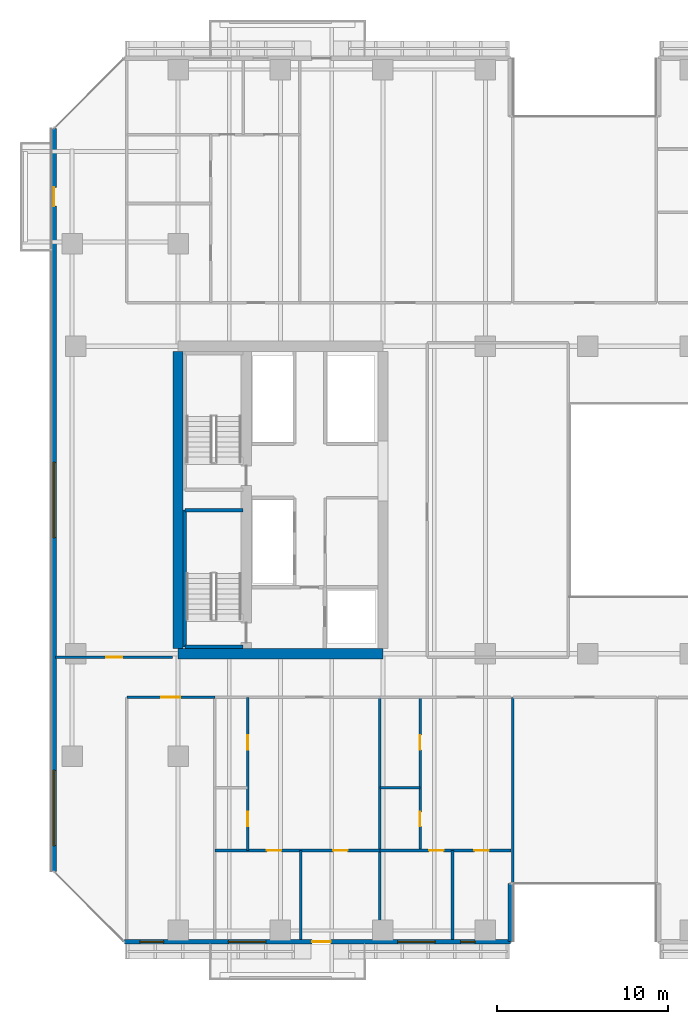
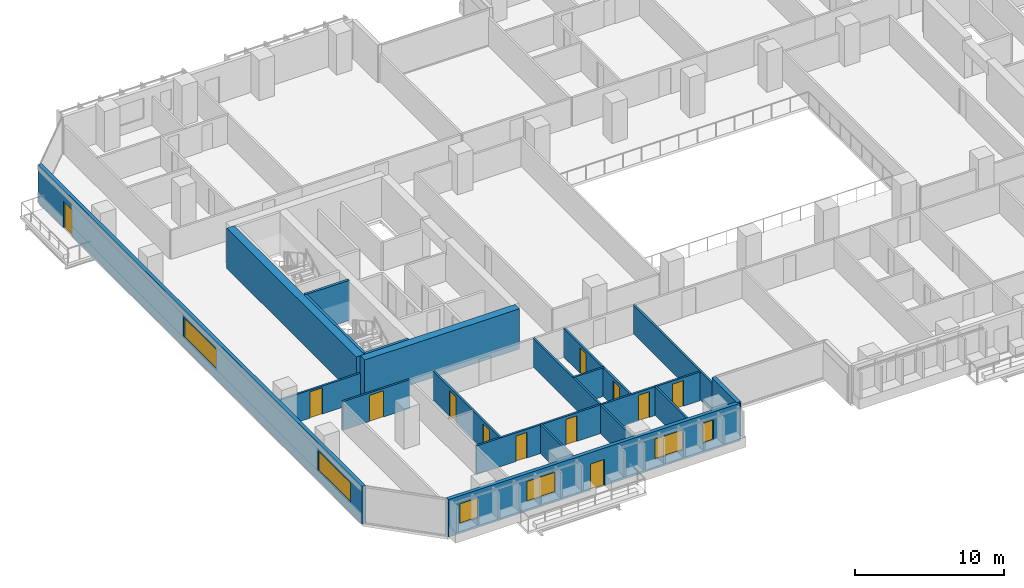
# One storey, part 18 of 33: 19 walls, 12 doors, 6 windows, 18 openings.
"""IFC4 building model written with IfcOpenShell, lengths in metres."""

import ifcopenshell
import ifcopenshell.guid

model = None  # the IFC model being written
_history = None  # IfcOwnerHistory: only IFC2X3 demands one
_inside = {}  # id of a spatial element -> (the spatial element, [elements in it])
_under = {}  # id of a project, library or spatial element -> (it, [spatial elements below it])
_declared = {}  # id of a project -> (the project, [libraries it declares])
_typed = {}  # id of a type object -> (the type object, [elements of that type])
_made_of = {}  # id of a material, layer set ... -> (it, [elements and type objects made of it])


def new_model(schema):
    """Start an empty IFC model of exactly this schema.

    Asked for "IFC4X3", IfcOpenShell would pick the latest addendum, in which some entities
    have other attributes; the version numbers below select the first issue.
    IFC2X3 requires an IfcOwnerHistory on every rooted entity: one is made here for all.
    """
    global model, _history
    if schema == "IFC4X3":
        model = ifcopenshell.file(schema_version=(4, 3, 0, 0))
    else:
        model = ifcopenshell.file(schema=schema)
    _inside.clear()
    _under.clear()
    _declared.clear()
    _typed.clear()
    _made_of.clear()
    _history = None
    if model.schema == "IFC2X3":
        org = make("IfcOrganization", Name="unknown")
        user = make(
            "IfcPersonAndOrganization",
            ThePerson=make("IfcPerson", FamilyName="unknown"),
            TheOrganization=org,
        )
        app = make(
            "IfcApplication",
            ApplicationDeveloper=org,
            Version="unknown",
            ApplicationFullName="unknown",
            ApplicationIdentifier="unknown",
        )
        _history = make(
            "IfcOwnerHistory",
            OwningUser=user,
            OwningApplication=app,
            ChangeAction="ADDED",
            CreationDate=0,
        )
    return model


def make(cls, **values):
    """One entity of the class cls with the attributes given. An attribute that is None is left unset."""
    return model.create_entity(
        cls, **{name: value for name, value in values.items() if value is not None}
    )


def rooted(cls, **values):
    """An entity with a GlobalId (a new one), such as an element, a storey or a relation."""
    return make(cls, GlobalId=ifcopenshell.guid.new(), OwnerHistory=_history, **values)


def si_unit(unit_type, name, prefix=None):
    """IfcSIUnit, for example si_unit("LENGTHUNIT", "METRE", prefix="MILLI")."""
    return make("IfcSIUnit", UnitType=unit_type, Prefix=prefix, Name=name)


def assignment(units):
    """IfcUnitAssignment: the units of a project."""
    return None if units is None else make("IfcUnitAssignment", Units=units)


def point(xyz):
    """IfcCartesianPoint."""
    return None if xyz is None else make("IfcCartesianPoint", Coordinates=xyz)


def direction(xyz):
    """IfcDirection."""
    return None if xyz is None else make("IfcDirection", DirectionRatios=xyz)


def frame(location, z_axis=None, x_axis=None):
    """IfcAxis2Placement3D, a coordinate frame: its origin and axes. An axis left out is left unset."""
    return make(
        "IfcAxis2Placement3D",
        Location=point(location),
        Axis=direction(z_axis),
        RefDirection=direction(x_axis),
    )


def frame_2d(location, x_axis=None):
    """IfcAxis2Placement2D, a coordinate frame in the plane: its origin and x axis."""
    return make(
        "IfcAxis2Placement2D", Location=point(location), RefDirection=direction(x_axis)
    )


def origin():
    """The frame at (0, 0, 0) with its axes left unset."""
    return frame((0.0, 0.0, 0.0))


def place(relative_to, where):
    """IfcLocalPlacement: puts the frame where relative to a parent placement (None: the world)."""
    return make(
        "IfcLocalPlacement", PlacementRelTo=relative_to, RelativePlacement=where
    )


def context(
    kind, dimensions, precision=None, world=None, true_north=None, identifier=None
):
    """IfcGeometricRepresentationContext, for example the 3D "Model" context."""
    return make(
        "IfcGeometricRepresentationContext",
        ContextIdentifier=identifier,
        ContextType=kind,
        CoordinateSpaceDimension=dimensions,
        Precision=precision,
        WorldCoordinateSystem=world,
        TrueNorth=true_north,
    )


def subcontext(parent, identifier, kind, view, scale=None):
    """IfcGeometricRepresentationSubContext, for example "Body" below "Model"."""
    return make(
        "IfcGeometricRepresentationSubContext",
        ContextIdentifier=identifier,
        ContextType=kind,
        ParentContext=parent,
        TargetScale=scale,
        TargetView=view,
    )


def project(units=None, contexts=None):
    """IfcProject with its units and contexts."""
    return rooted(
        "IfcProject",
        Name="project",
        RepresentationContexts=contexts,
        UnitsInContext=assignment(units),
    )


def spatial(cls, under=None, at=None, **own):
    """A site, building, storey or space (cls), placed at a placement, below another one or the project."""
    s = rooted(cls, ObjectPlacement=at, **own)
    if under is not None:
        _under.setdefault(under.id(), (under, []))[1].append(s)
    return s


def profile(cls, at=None, kind="AREA", **sizes):
    """A parametric profile (cls). Its sizes go by their IFC names, for example OverallWidth=200.0."""
    return make(cls, ProfileType=kind, Position=at, **sizes)


def rectangle(**sizes):
    """IfcRectangleProfileDef."""
    return profile("IfcRectangleProfileDef", **sizes)


def extrude(swept, where, along, depth):
    """IfcExtrudedAreaSolid: the profile swept, set in the frame where, extruded along a direction by depth."""
    return make(
        "IfcExtrudedAreaSolid",
        SweptArea=swept,
        Position=where,
        ExtrudedDirection=direction(along),
        Depth=depth,
    )


def shape(context_of_items, identifier, shape_type, items):
    """IfcShapeRepresentation: the items that make up one representation, for example the "Body"."""
    return make(
        "IfcShapeRepresentation",
        ContextOfItems=context_of_items,
        RepresentationIdentifier=identifier,
        RepresentationType=shape_type,
        Items=items,
    )


def material(Name=None, Category=None):
    """IfcMaterial."""
    return make("IfcMaterial", Name=Name, Category=Category)


def layer(
    of_material, thickness, ventilated=None, Name=None, Category=None, Priority=None
):
    """IfcMaterialLayer: one layer of a wall or slab, of a material (None: an air gap)."""
    return make(
        "IfcMaterialLayer",
        Material=of_material,
        LayerThickness=thickness,
        IsVentilated=ventilated,
        Name=Name,
        Category=Category,
        Priority=Priority,
    )


def layer_set(layers, Name=None):
    """IfcMaterialLayerSet."""
    return make("IfcMaterialLayerSet", MaterialLayers=layers, LayerSetName=Name)


def made_of(thing, what):
    """Note that an element or type object is made of a material, layer set ...; save() writes the relation."""
    if what is not None:
        _made_of.setdefault(what.id(), (what, []))[1].append(thing)
    return thing


def type_object(cls, material=None, **own):
    """A type object (cls), such as IfcWallType, which elements share."""
    return made_of(rooted(cls, **own), material)


def element(
    cls,
    number,
    at=None,
    inside=None,
    cuts=None,
    type_object=None,
    material=None,
    context=None,
    identifier="Body",
    shape_type=None,
    held_by="IfcProductDefinitionShape",
    body=None,
    shapes=None,
    **own,
):
    """One element of the class cls, such as IfcWall. Its Tag is "e" and its number.

    at: its placement. inside: the storey or other place that contains it. cuts: it is an
    opening in that element (IfcRelVoidsElement). A single representation is given by context,
    identifier, shape_type and body (its items); several are given by shapes. held_by: the class
    of the entity that holds the representations. save() writes the other relations.
    """
    e = rooted(cls, Tag="e%d" % number, ObjectPlacement=at, **own)
    if body is not None:
        shapes = [shape(context, identifier, shape_type, body)]
    if shapes is not None:
        e.Representation = make(held_by, Representations=shapes)
    if inside is not None:
        _inside.setdefault(inside.id(), (inside, []))[1].append(e)
    if cuts is not None:
        rooted(
            "IfcRelVoidsElement", RelatingBuildingElement=cuts, RelatedOpeningElement=e
        )
    if type_object is not None:
        _typed.setdefault(type_object.id(), (type_object, []))[1].append(e)
    return made_of(e, material)


def fill(opening, filler):
    """IfcRelFillsElement: the door or window that sits in an opening."""
    return rooted(
        "IfcRelFillsElement",
        RelatingOpeningElement=opening,
        RelatedBuildingElement=filler,
    )


def aggregate(whole, parts):
    """IfcRelAggregates: a whole, such as a stair, and the parts it consists of."""
    return rooted("IfcRelAggregates", RelatingObject=whole, RelatedObjects=parts)


def save(model, path):
    """Write the relations noted so far, then the file.

    IfcRelAggregates (storeys below a building ...), IfcRelContainedInSpatialStructure (elements
    in a storey), IfcRelDefinesByType, IfcRelAssociatesMaterial and IfcRelDeclares: one each for
    every whole, place, type object, material and project.
    """
    for whole, parts in _under.values():
        aggregate(whole, parts)
    for where, things in _inside.values():
        rooted(
            "IfcRelContainedInSpatialStructure",
            RelatedElements=things,
            RelatingStructure=where,
        )
    for kind, things in _typed.values():
        rooted("IfcRelDefinesByType", RelatedObjects=things, RelatingType=kind)
    for what, things in _made_of.values():
        rooted("IfcRelAssociatesMaterial", RelatedObjects=things, RelatingMaterial=what)
    for by, libraries in _declared.values():
        rooted("IfcRelDeclares", RelatingContext=by, RelatedDefinitions=libraries)
    model.write(path)


model = new_model("IFC4")

# Units and contexts
model_context = context("Model", 3, precision=1e-05, world=origin(), true_north=direction((0.0, 1.0)))
body_context = subcontext(model_context, "Body", "Model", "MODEL_VIEW")
ifc_project = project(units=[si_unit("LENGTHUNIT", "METRE"), si_unit("AREAUNIT", "SQUARE_METRE"), si_unit("VOLUMEUNIT", "CUBIC_METRE"), si_unit("PLANEANGLEUNIT", "RADIAN"), si_unit("MASSUNIT", "GRAM", prefix="KILO")], contexts=[model_context])

# Site, building, storey
site_placement = place(None, origin())
site = spatial("IfcSite", under=ifc_project, at=site_placement, CompositionType="ELEMENT")
building_placement = place(site_placement, origin())
building = spatial("IfcBuilding", under=site, at=building_placement, Name="Tanjung Sevakor Pilgrim Tower", CompositionType="ELEMENT")
storey_placement = place(building_placement, frame((0.0, 0.0, 52.139892578125)))
storey = spatial("IfcBuildingStorey", under=building, at=storey_placement, Name="L14", CompositionType="ELEMENT", Elevation=52.139892578125)

# Walls
ifc_material_1 = material(Name="Concrete C60/75", Category="concrete")
ifc_layer_1 = layer(ifc_material_1, 0.60009765625)
ifc_layer_set_1 = layer_set([ifc_layer_1], Name="WALL-CW-600")
wall_type_1 = type_object("IfcWallType", Name="WALL-CW-600", PredefinedType="SHEAR", material=ifc_layer_set_1)
wall_1_placement = place(storey_placement, frame((24.0, 24.60009765625, 0.0), z_axis=(0.0, 0.0, 1.0), x_axis=(1.0, 0.0, 0.0)))
element("IfcWall", 1, at=wall_1_placement, inside=storey, type_object=wall_type_1, Name="L14 W Core South Shear Wall", PredefinedType="SHEAR", context=body_context, shape_type="SweptSolid", body=[
    extrude(rectangle(XDim=12.0, YDim=0.60009765625, at=frame_2d((6.0, 0.0))), origin(), (0.0, 0.0, 1.0), 3.300048828125),
])
wall_2_placement = place(storey_placement, frame((24.0, 24.89990234375, 0.0), z_axis=(0.0, 0.0, 1.0), x_axis=(0.0, 1.0, 0.0)))
element("IfcWall", 2, at=wall_2_placement, inside=storey, type_object=wall_type_1, Name="L14 W Core Outer Shear Wall", PredefinedType="SHEAR", context=body_context, shape_type="SweptSolid", body=[
    extrude(rectangle(XDim=17.400146484375, YDim=0.60009765625, at=frame_2d((8.7001953125, 0.0))), origin(), (0.0, 0.0, 1.0), 3.300048828125),
])

# Wall, opening, door
ifc_material_2 = material(Name="Concrete C40/50", Category="concrete")
ifc_layer_2 = layer(ifc_material_2, 0.14990234375)
ifc_layer_set_2 = layer_set([ifc_layer_2], Name="WT-COMP-150")
wall_type_2 = type_object("IfcWallType", Name="WT-COMP-150", PredefinedType="SOLIDWALL", material=ifc_layer_set_2)
wall_3_placement = place(storey_placement, frame((16.840087890625, 24.39990234375, 0.0), z_axis=(0.0, 0.0, 1.0), x_axis=(1.0, 0.0, 0.0)))
wall_3 = element("IfcWall", 3, at=wall_3_placement, inside=storey, type_object=wall_type_2, Name="L14 Partition IW-L14-029", PredefinedType="SOLIDWALL", context=body_context, shape_type="SweptSolid", body=[
    extrude(rectangle(XDim=6.83984375, YDim=0.14990234375, at=frame_2d((3.419921875, 0.0))), origin(), (0.0, 0.0, 1.0), 2.295166015625),
])
opening_1_placement = place(wall_3_placement, frame((2.945068359375, 0.0, 0.0)))
opening_1 = element("IfcOpeningElement", 4, at=opening_1_placement, cuts=wall_3, Name="Opening ID-FD2", PredefinedType="OPENING", context=body_context, shape_type="SweptSolid", body=[
    extrude(rectangle(XDim=0.949951171875, YDim=2.14990234375, at=frame_2d((0.47509765625, 1.074951171875))), frame((0.0, 0.0849609375, 0.0), z_axis=(0.0, -1.0, 0.0), x_axis=(1.0, 0.0, 0.0)), (0.0, 0.0, 1.0), 0.169921875),
])
ifc_material_3 = material(Name="Fire-Rated Timber", Category="wood")
door_type_1 = type_object("IfcDoorType", Name="DT-FIRE-950", OperationType="NOTDEFINED", PredefinedType="DOOR", material=ifc_material_3)
door_1_placement = place(opening_1_placement, origin())
door_1 = element("IfcDoor", 5, at=door_1_placement, inside=storey, type_object=door_type_1, Name="Study Room Entrance", OperationType="SINGLE_SWING_RIGHT", OverallHeight=2.14990234375, OverallWidth=0.949951171875, PredefinedType="DOOR", context=body_context, shape_type="SweptSolid", body=[
    extrude(rectangle(XDim=0.949951171875, YDim=2.14990234375, at=frame_2d((0.47509765625, 1.074951171875))), frame((0.0, 0.02490234375, 0.0), z_axis=(0.0, -1.0, 0.0), x_axis=(1.0, 0.0, 0.0)), (0.0, 0.0, 1.0), 0.050048828125),
])
fill(opening_1, door_1)

# Wall
wall_4_placement = place(storey_placement, frame((43.60009765625, 7.8798828125, 0.0), z_axis=(0.0, 0.0, 1.0), x_axis=(0.0, 1.0, 0.0)))
element("IfcWall", 6, at=wall_4_placement, inside=storey, type_object=wall_type_2, Name="L14 Partition IW-L14-037", PredefinedType="SOLIDWALL", context=body_context, shape_type="SweptSolid", body=[
    extrude(rectangle(XDim=14.170166015625, YDim=0.14990234375, at=frame_2d((7.0849609375, 0.0))), origin(), (0.0, 0.0, 1.0), 2.35009765625),
])

# Wall, opening, door
wall_5_placement = place(storey_placement, frame((21.0, 22.050048828125, 0.0), z_axis=(0.0, 0.0, 1.0), x_axis=(1.0, 0.0, 0.0)))
wall_5 = element("IfcWall", 7, at=wall_5_placement, inside=storey, type_object=wall_type_2, Name="L14 Partition IW-L14-044", PredefinedType="SOLIDWALL", context=body_context, shape_type="SweptSolid", body=[
    extrude(rectangle(XDim=5.162109375, YDim=0.14990234375, at=frame_2d((2.5810546875, 0.0))), origin(), (0.0, 0.0, 1.0), 2.35009765625),
])
opening_2_placement = place(wall_5_placement, frame((2.031005859375, 0.0, 0.0)))
opening_2 = element("IfcOpeningElement", 8, at=opening_2_placement, cuts=wall_5, Name="Opening ID-FD0", PredefinedType="OPENING", context=body_context, shape_type="SweptSolid", body=[
    extrude(rectangle(XDim=1.10009765625, YDim=2.14990234375, at=frame_2d((0.550048828125, 1.074951171875))), frame((0.0, 0.0849609375, 0.0), z_axis=(0.0, -1.0, 0.0), x_axis=(1.0, 0.0, 0.0)), (0.0, 0.0, 1.0), 0.169921875),
])
ifc_material_4 = material(Name="Fire-Rated Steel S355J2", Category="steel")
door_type_2 = type_object("IfcDoorType", Name="DT-FIRE-1100", OperationType="NOTDEFINED", PredefinedType="DOOR", material=ifc_material_4)
door_2_placement = place(opening_2_placement, origin())
door_2 = element("IfcDoor", 9, at=door_2_placement, inside=storey, type_object=door_type_2, Name="Communal Lounge Door", OperationType="SINGLE_SWING_LEFT", OverallHeight=2.14990234375, OverallWidth=1.10009765625, PredefinedType="DOOR", context=body_context, shape_type="SweptSolid", body=[
    extrude(rectangle(XDim=1.10009765625, YDim=2.14990234375, at=frame_2d((0.550048828125, 1.074951171875))), frame((0.0, 0.02490234375, 0.0), z_axis=(0.0, -1.0, 0.0), x_axis=(1.0, 0.0, 0.0)), (0.0, 0.0, 1.0), 0.050048828125),
])
fill(opening_2, door_2)

# Wall
wall_6_placement = place(storey_placement, frame((35.8203125, 7.8798828125, 0.0), z_axis=(0.0, 0.0, 1.0), x_axis=(0.0, 1.0, 0.0)))
element("IfcWall", 10, at=wall_6_placement, inside=storey, type_object=wall_type_2, Name="L14 Partition IW-L14-045", PredefinedType="SOLIDWALL", context=body_context, shape_type="SweptSolid", body=[
    extrude(rectangle(XDim=14.170166015625, YDim=0.14990234375, at=frame_2d((7.0849609375, 0.0))), origin(), (0.0, 0.0, 1.0), 2.35009765625),
])

# Wall, openings, door, windows
ifc_material_5 = material(Name="Precast concrete C45/55", Category="concrete")
ifc_layer_3 = layer(ifc_material_5, 0.280029296875)
ifc_layer_set_3 = layer_set([ifc_layer_3], Name="WT-EW-STN2")
wall_type_3 = type_object("IfcWallType", Name="WT-EW-STN2", PredefinedType="SOLIDWALL", material=ifc_layer_set_3)
wall_7_placement = place(storey_placement, frame((20.85791015625, 7.739990234375, 0.0), z_axis=(0.0, 0.0, 1.0), x_axis=(1.0, 0.0, 0.0)))
wall_7 = element("IfcWall", 11, at=wall_7_placement, inside=storey, type_object=wall_type_3, Name="L14 MAIN Exterior Wall 1", PredefinedType="SOLIDWALL", context=body_context, shape_type="SweptSolid", body=[
    extrude(rectangle(XDim=22.60205078125, YDim=0.280029296875, at=frame_2d((11.301025390625, 0.0))), origin(), (0.0, 0.0, 1.0), 3.080078125),
])
opening_3_placement = place(wall_7_placement, frame((10.991943359375, 0.0, 0.0)))
opening_3 = element("IfcOpeningElement", 12, at=opening_3_placement, cuts=wall_7, Name="Opening ED-BAL-1100", PredefinedType="OPENING", context=body_context, shape_type="SweptSolid", body=[
    extrude(rectangle(XDim=1.10009765625, YDim=2.14990234375, at=frame_2d((0.550048828125, 1.074951171875))), frame((0.0, 0.14990234375, 0.0), z_axis=(0.0, -1.0, 0.0), x_axis=(1.0, 0.0, 0.0)), (0.0, 0.0, 1.0), 0.300048828125),
])
opening_4_placement = place(wall_7_placement, frame((0.903076171875, 0.0, 0.780029296875)))
opening_4 = element("IfcOpeningElement", 13, at=opening_4_placement, cuts=wall_7, Name="Opening WN-END", PredefinedType="OPENING", context=body_context, shape_type="SweptSolid", body=[
    extrude(rectangle(XDim=1.39990234375, YDim=1.64990234375, at=frame_2d((0.699951171875, 0.824951171875))), frame((0.0, 0.14990234375, 0.0), z_axis=(0.0, -1.0, 0.0), x_axis=(1.0, 0.0, 0.0)), (0.0, 0.0, 1.0), 0.300048828125),
])
opening_5_placement = place(wall_7_placement, frame((6.085205078125, 0.0, 0.780029296875)))
opening_5 = element("IfcOpeningElement", 14, at=opening_5_placement, cuts=wall_7, Name="Opening WN-Z1-1660", PredefinedType="OPENING", context=body_context, shape_type="SweptSolid", body=[
    extrude(rectangle(XDim=2.199951171875, YDim=1.659912109375, at=frame_2d((1.10009765625, 0.830078125))), frame((0.0, 0.14990234375, 0.0), z_axis=(0.0, -1.0, 0.0), x_axis=(1.0, 0.0, 0.0)), (0.0, 0.0, 1.0), 0.300048828125),
])
opening_6_placement = place(wall_7_placement, frame((15.997314453125, 0.0, 0.780029296875)))
opening_6 = element("IfcOpeningElement", 15, at=opening_6_placement, cuts=wall_7, Name="Opening WN-Z1-1660", PredefinedType="OPENING", context=body_context, shape_type="SweptSolid", body=[
    extrude(rectangle(XDim=2.199951171875, YDim=1.659912109375, at=frame_2d((1.10009765625, 0.830078125))), frame((0.0, 0.14990234375, 0.0), z_axis=(0.0, -1.0, 0.0), x_axis=(1.0, 0.0, 0.0)), (0.0, 0.0, 1.0), 0.300048828125),
])
opening_7_placement = place(wall_7_placement, frame((19.68212890625, 0.0, 0.780029296875)))
opening_7 = element("IfcOpeningElement", 16, at=opening_7_placement, cuts=wall_7, Name="Opening WN-SLM", PredefinedType="OPENING", context=body_context, shape_type="SweptSolid", body=[
    extrude(rectangle(XDim=0.85009765625, YDim=1.64990234375, at=frame_2d((0.425048828125, 0.824951171875))), frame((0.0, 0.14990234375, 0.0), z_axis=(0.0, -1.0, 0.0), x_axis=(1.0, 0.0, 0.0)), (0.0, 0.0, 1.0), 0.300048828125),
])
ifc_material_6 = material(Name="Anodised Aluminium and Laminated Glass", Category="aluminium")
door_type_3 = type_object("IfcDoorType", Name="DTYP-ED-BAL-1100", OperationType="NOTDEFINED", PredefinedType="DOOR", material=ifc_material_6)
door_3_placement = place(opening_3_placement, frame((1.10009765625, 0.0, 0.0), z_axis=(0.0, 0.0, 1.0), x_axis=(-1.0, 0.0, 0.0)))
door_3 = element("IfcDoor", 17, at=door_3_placement, inside=storey, type_object=door_type_3, Name="L14 Balcony Door MAIN-S1", OperationType="SINGLE_SWING_RIGHT", OverallHeight=2.14990234375, OverallWidth=1.10009765625, PredefinedType="DOOR", context=body_context, shape_type="SweptSolid", body=[
    extrude(rectangle(XDim=1.10009765625, YDim=2.14990234375, at=frame_2d((0.550048828125, 1.074951171875))), frame((0.0, 0.02490234375, 0.0), z_axis=(0.0, -1.0, 0.0), x_axis=(1.0, 0.0, 0.0)), (0.0, 0.0, 1.0), 0.050048828125),
])
fill(opening_3, door_3)
ifc_material_7 = material(Name="Thermally Broken Aluminium and Low-E Glass", Category="aluminium")
window_type_1 = type_object("IfcWindowType", Name="WTYP-WN-END", PartitioningType="SINGLE_PANEL", PredefinedType="WINDOW", material=ifc_material_7)
window_1_placement = place(opening_4_placement, origin())
window_1 = element("IfcWindow", 18, at=window_1_placement, inside=storey, type_object=window_type_1, Name="L14 Facade Window 01", OverallHeight=1.64990234375, OverallWidth=1.39990234375, PartitioningType="SINGLE_PANEL", PredefinedType="WINDOW", context=body_context, shape_type="SweptSolid", body=[
    extrude(rectangle(XDim=1.39990234375, YDim=1.64990234375, at=frame_2d((0.699951171875, 0.824951171875))), frame((0.0, 0.030029296875, 0.0), z_axis=(0.0, -1.0, 0.0), x_axis=(1.0, 0.0, 0.0)), (0.0, 0.0, 1.0), 0.06005859375),
])
fill(opening_4, window_1)
ifc_material_8 = material(Name="Thermally Broken Aluminium and Low-E Glass", Category="aluminium")
window_type_2 = type_object("IfcWindowType", Name="WTYP-WN-SLM", PartitioningType="SINGLE_PANEL", PredefinedType="WINDOW", material=ifc_material_8)
window_2_placement = place(opening_7_placement, origin())
window_2 = element("IfcWindow", 19, at=window_2_placement, inside=storey, type_object=window_type_2, Name="L14 Facade Window 04", OverallHeight=1.64990234375, OverallWidth=0.85009765625, PartitioningType="SINGLE_PANEL", PredefinedType="WINDOW", context=body_context, shape_type="SweptSolid", body=[
    extrude(rectangle(XDim=0.85009765625, YDim=1.64990234375, at=frame_2d((0.425048828125, 0.824951171875))), frame((0.0, 0.030029296875, 0.0), z_axis=(0.0, -1.0, 0.0), x_axis=(1.0, 0.0, 0.0)), (0.0, 0.0, 1.0), 0.06005859375),
])
fill(opening_7, window_2)
ifc_material_9 = material(Name="Thermally Broken Aluminium and Low-E Glass", Category="aluminium")
window_type_3 = type_object("IfcWindowType", Name="WTYP-WN-Z1-1660", PartitioningType="DOUBLE_PANEL_VERTICAL", PredefinedType="WINDOW", material=ifc_material_9)
window_3_placement = place(opening_5_placement, origin())
window_3 = element("IfcWindow", 20, at=window_3_placement, inside=storey, type_object=window_type_3, Name="L14 Facade Window 02", OverallHeight=1.659912109375, OverallWidth=2.199951171875, PartitioningType="SINGLE_PANEL", PredefinedType="WINDOW", context=body_context, shape_type="SweptSolid", body=[
    extrude(rectangle(XDim=2.199951171875, YDim=1.659912109375, at=frame_2d((1.10009765625, 0.830078125))), frame((0.0, 0.030029296875, 0.0), z_axis=(0.0, -1.0, 0.0), x_axis=(1.0, 0.0, 0.0)), (0.0, 0.0, 1.0), 0.06005859375),
])
fill(opening_5, window_3)
window_4_placement = place(opening_6_placement, origin())
window_4 = element("IfcWindow", 21, at=window_4_placement, inside=storey, type_object=window_type_3, Name="L14 Facade Window 03", OverallHeight=1.659912109375, OverallWidth=2.199951171875, PartitioningType="SINGLE_PANEL", PredefinedType="WINDOW", context=body_context, shape_type="SweptSolid", body=[
    extrude(rectangle(XDim=2.199951171875, YDim=1.659912109375, at=frame_2d((1.10009765625, 0.830078125))), frame((0.0, 0.030029296875, 0.0), z_axis=(0.0, -1.0, 0.0), x_axis=(1.0, 0.0, 0.0)), (0.0, 0.0, 1.0), 0.06005859375),
])
fill(opening_6, window_4)

# Wall
wall_8_placement = place(storey_placement, frame((43.4599609375, 7.739990234375, 0.0), z_axis=(0.0, 0.0, 1.0), x_axis=(0.0, 1.0, 0.0)))
element("IfcWall", 22, at=wall_8_placement, inside=storey, type_object=wall_type_3, Name="L14 MAIN Exterior Wall 2", PredefinedType="SOLIDWALL", context=body_context, shape_type="SweptSolid", body=[
    extrude(rectangle(XDim=3.39990234375, YDim=0.280029296875, at=frame_2d((1.699951171875, 0.0))), origin(), (0.0, 0.0, 1.0), 3.080078125),
])

# Wall, openings, door, windows
wall_9_placement = place(storey_placement, frame((16.739990234375, 55.342041015625, 0.0), z_axis=(0.0, 0.0, 1.0), x_axis=(0.0, -1.0, 0.0)))
wall_9 = element("IfcWall", 23, at=wall_9_placement, inside=storey, type_object=wall_type_3, Name="L14 MAIN Exterior Wall 15", PredefinedType="SOLIDWALL", context=body_context, shape_type="SweptSolid", body=[
    extrude(rectangle(XDim=43.484130859375, YDim=0.280029296875, at=frame_2d((21.7421875, 0.0))), origin(), (0.0, 0.0, 1.0), 3.080078125),
])
opening_8_placement = place(wall_9_placement, frame((3.44189453125, 0.0, 0.0)))
opening_8 = element("IfcOpeningElement", 24, at=opening_8_placement, cuts=wall_9, Name="Opening ED-BAL-1100", PredefinedType="OPENING", context=body_context, shape_type="SweptSolid", body=[
    extrude(rectangle(XDim=1.10009765625, YDim=2.14990234375, at=frame_2d((0.550048828125, 1.074951171875))), frame((0.0, 0.14990234375, 0.0), z_axis=(0.0, -1.0, 0.0), x_axis=(1.0, 0.0, 0.0)), (0.0, 0.0, 1.0), 0.300048828125),
])
opening_9_placement = place(wall_9_placement, frame((19.5419921875, 0.0, 0.780029296875)))
opening_9 = element("IfcOpeningElement", 25, at=opening_9_placement, cuts=wall_9, Name="Opening WN-ENDW-1660", PredefinedType="OPENING", context=body_context, shape_type="SweptSolid", body=[
    extrude(rectangle(XDim=4.39990234375, YDim=1.659912109375, at=frame_2d((2.199951171875, 0.830078125))), frame((0.0, 0.14990234375, 0.0), z_axis=(0.0, -1.0, 0.0), x_axis=(1.0, 0.0, 0.0)), (0.0, 0.0, 1.0), 0.300048828125),
])
opening_10_placement = place(wall_9_placement, frame((37.572998046875, 0.0, 0.780029296875)))
opening_10 = element("IfcOpeningElement", 26, at=opening_10_placement, cuts=wall_9, Name="Opening WN-ENDW-1660", PredefinedType="OPENING", context=body_context, shape_type="SweptSolid", body=[
    extrude(rectangle(XDim=4.39990234375, YDim=1.659912109375, at=frame_2d((2.199951171875, 0.830078125))), frame((0.0, 0.14990234375, 0.0), z_axis=(0.0, -1.0, 0.0), x_axis=(1.0, 0.0, 0.0)), (0.0, 0.0, 1.0), 0.300048828125),
])
door_4_placement = place(opening_8_placement, frame((1.10009765625, 0.0, 0.0), z_axis=(0.0, 0.0, 1.0), x_axis=(-1.0, 0.0, 0.0)))
door_4 = element("IfcDoor", 27, at=door_4_placement, inside=storey, type_object=door_type_3, Name="L14 West Loggia Door MAIN-W1", OperationType="SINGLE_SWING_LEFT", OverallHeight=2.14990234375, OverallWidth=1.10009765625, PredefinedType="DOOR", context=body_context, shape_type="SweptSolid", body=[
    extrude(rectangle(XDim=1.10009765625, YDim=2.14990234375, at=frame_2d((0.550048828125, 1.074951171875))), frame((0.0, 0.02490234375, 0.0), z_axis=(0.0, -1.0, 0.0), x_axis=(1.0, 0.0, 0.0)), (0.0, 0.0, 1.0), 0.050048828125),
])
fill(opening_8, door_4)
ifc_material_10 = material(Name="Thermally Broken Aluminium and Low-E Glass", Category="aluminium")
window_type_4 = type_object("IfcWindowType", Name="WTYP-WN-ENDW-1660", PartitioningType="DOUBLE_PANEL_VERTICAL", PredefinedType="WINDOW", material=ifc_material_10)
window_5_placement = place(opening_9_placement, origin())
window_5 = element("IfcWindow", 28, at=window_5_placement, inside=storey, type_object=window_type_4, Name="L14 Facade Window 01", OverallHeight=1.659912109375, OverallWidth=4.39990234375, PartitioningType="SINGLE_PANEL", PredefinedType="WINDOW", context=body_context, shape_type="SweptSolid", body=[
    extrude(rectangle(XDim=4.39990234375, YDim=1.659912109375, at=frame_2d((2.199951171875, 0.830078125))), frame((0.0, 0.030029296875, 0.0), z_axis=(0.0, -1.0, 0.0), x_axis=(1.0, 0.0, 0.0)), (0.0, 0.0, 1.0), 0.06005859375),
])
fill(opening_9, window_5)
window_6_placement = place(opening_10_placement, origin())
window_6 = element("IfcWindow", 29, at=window_6_placement, inside=storey, type_object=window_type_4, Name="L14 Facade Window 02", OverallHeight=1.659912109375, OverallWidth=4.39990234375, PartitioningType="SINGLE_PANEL", PredefinedType="WINDOW", context=body_context, shape_type="SweptSolid", body=[
    extrude(rectangle(XDim=4.39990234375, YDim=1.659912109375, at=frame_2d((2.199951171875, 0.830078125))), frame((0.0, 0.030029296875, 0.0), z_axis=(0.0, -1.0, 0.0), x_axis=(1.0, 0.0, 0.0)), (0.0, 0.0, 1.0), 0.06005859375),
])
fill(opening_10, window_6)

# Walls
ifc_material_11 = material(Name="Concrete C40/50", Category="concrete")
ifc_layer_4 = layer(ifc_material_11, 0.199951171875)
ifc_layer_set_4 = layer_set([ifc_layer_4], Name="WT-FIRE-200")
wall_type_4 = type_object("IfcWallType", Name="WT-FIRE-200", PredefinedType="SOLIDWALL", material=ifc_layer_set_4)
for number, where, z_axis, x_axis, name in (
    (30, (24.39990234375, 25.0, 0.0), (0.0, 0.0, 1.0), (1.0, 0.0, 0.0), "L14 TS-W1 Shaft Wall 1"),
    (31, (27.800048828125, 33.0, 0.0), (0.0, 0.0, 1.0), (-1.0, 0.0, 0.0), "L14 TS-W1 Shaft Wall 2"),
):
    element("IfcWall", number, at=place(storey_placement, frame(where, z_axis=z_axis, x_axis=x_axis)), inside=storey, type_object=wall_type_4, Name=name, PredefinedType="SOLIDWALL", context=body_context, shape_type="SweptSolid", body=[
        extrude(rectangle(XDim=3.400146484375, YDim=0.199951171875, at=frame_2d((1.7001953125, 0.0))), origin(), (0.0, 0.0, 1.0), 3.300048828125),
    ])
wall_10_placement = place(storey_placement, frame((24.39990234375, 33.0, 0.0), z_axis=(0.0, 0.0, 1.0), x_axis=(0.0, -1.0, 0.0)))
element("IfcWall", 32, at=wall_10_placement, inside=storey, type_object=wall_type_4, Name="L14 TS-W1 Shaft Wall 3", PredefinedType="SOLIDWALL", context=body_context, shape_type="SweptSolid", body=[
    extrude(rectangle(XDim=8.0, YDim=0.199951171875, at=frame_2d((4.0, 0.0))), origin(), (0.0, 0.0, 1.0), 3.300048828125),
])

# Wall, openings, doors
ifc_material_12 = material(Name="Gypsum Board Partition", Category="gypsum board")
ifc_layer_5 = layer(ifc_material_12, 0.14990234375)
ifc_layer_set_5 = layer_set([ifc_layer_5], Name="WT-PART-150")
wall_type_5 = type_object("IfcWallType", Name="WT-PART-150", PredefinedType="PARTITIONING", material=ifc_layer_set_5)
wall_11_placement = place(storey_placement, frame((28.080078125, 13.080078125, 0.0), z_axis=(0.0, 0.0, 1.0), x_axis=(0.0, 1.0, 0.0)))
wall_11 = element("IfcWall", 33, at=wall_11_placement, inside=storey, type_object=wall_type_5, Name="L14 Partition IW-L14-047", PredefinedType="PARTITIONING", context=body_context, shape_type="SweptSolid", body=[
    extrude(rectangle(XDim=8.969970703125, YDim=0.14990234375, at=frame_2d((4.48486328125, 0.0))), origin(), (0.0, 0.0, 1.0), 2.35009765625),
])
opening_11_placement = place(wall_11_placement, frame((1.413818359375, 0.0, 0.0)))
opening_11 = element("IfcOpeningElement", 34, at=opening_11_placement, cuts=wall_11, Name="Opening ID-WC1", PredefinedType="OPENING", context=body_context, shape_type="SweptSolid", body=[
    extrude(rectangle(XDim=0.85009765625, YDim=2.10009765625, at=frame_2d((0.425048828125, 1.050048828125))), frame((0.0, 0.0849609375, 0.0), z_axis=(0.0, -1.0, 0.0), x_axis=(1.0, 0.0, 0.0)), (0.0, 0.0, 1.0), 0.169921875),
])
opening_12_placement = place(wall_11_placement, frame((5.89892578125, 0.0, 0.0)))
opening_12 = element("IfcOpeningElement", 35, at=opening_12_placement, cuts=wall_11, Name="Opening ID-WC1", PredefinedType="OPENING", context=body_context, shape_type="SweptSolid", body=[
    extrude(rectangle(XDim=0.85009765625, YDim=2.10009765625, at=frame_2d((0.425048828125, 1.050048828125))), frame((0.0, 0.0849609375, 0.0), z_axis=(0.0, -1.0, 0.0), x_axis=(1.0, 0.0, 0.0)), (0.0, 0.0, 1.0), 0.169921875),
])
ifc_material_13 = material(Name="Moisture-Resistant Timber", Category="wood")
door_type_4 = type_object("IfcDoorType", Name="DT-INT-850", OperationType="NOTDEFINED", PredefinedType="DOOR", material=ifc_material_13)
door_5_placement = place(opening_11_placement, origin())
door_5 = element("IfcDoor", 36, at=door_5_placement, inside=storey, type_object=door_type_4, Name="Suite Bathroom Door", OperationType="SINGLE_SWING_RIGHT", OverallHeight=2.10009765625, OverallWidth=0.85009765625, PredefinedType="DOOR", context=body_context, shape_type="SweptSolid", body=[
    extrude(rectangle(XDim=0.85009765625, YDim=2.10009765625, at=frame_2d((0.425048828125, 1.050048828125))), frame((0.0, 0.02490234375, 0.0), z_axis=(0.0, -1.0, 0.0), x_axis=(1.0, 0.0, 0.0)), (0.0, 0.0, 1.0), 0.050048828125),
])
fill(opening_11, door_5)
door_6_placement = place(opening_12_placement, origin())
door_6 = element("IfcDoor", 37, at=door_6_placement, inside=storey, type_object=door_type_4, Name="Suite Kitchenette Door", OperationType="SINGLE_SWING_LEFT", OverallHeight=2.10009765625, OverallWidth=0.85009765625, PredefinedType="DOOR", context=body_context, shape_type="SweptSolid", body=[
    extrude(rectangle(XDim=0.85009765625, YDim=2.10009765625, at=frame_2d((0.425048828125, 1.050048828125))), frame((0.0, 0.02490234375, 0.0), z_axis=(0.0, -1.0, 0.0), x_axis=(1.0, 0.0, 0.0)), (0.0, 0.0, 1.0), 0.050048828125),
])
fill(opening_12, door_6)

# Wall
wall_12_placement = place(storey_placement, frame((31.184326171875, 7.8798828125, 0.0), z_axis=(0.0, 0.0, 1.0), x_axis=(0.0, 1.0, 0.0)))
element("IfcWall", 38, at=wall_12_placement, inside=storey, type_object=wall_type_5, Name="L14 Partition IW-L14-048", PredefinedType="PARTITIONING", context=body_context, shape_type="SweptSolid", body=[
    extrude(rectangle(XDim=5.2001953125, YDim=0.14990234375, at=frame_2d((2.60009765625, 0.0))), origin(), (0.0, 0.0, 1.0), 2.35009765625),
])

# Wall, openings, doors
wall_13_placement = place(storey_placement, frame((26.162109375, 13.080078125, 0.0), z_axis=(0.0, 0.0, 1.0), x_axis=(1.0, 0.0, 0.0)))
wall_13 = element("IfcWall", 39, at=wall_13_placement, inside=storey, type_object=wall_type_5, Name="L14 Partition IW-L14-049", PredefinedType="PARTITIONING", context=body_context, shape_type="SweptSolid", body=[
    extrude(rectangle(XDim=9.658203125, YDim=0.14990234375, at=frame_2d((4.8291015625, 0.0))), origin(), (0.0, 0.0, 1.0), 2.35009765625),
])
opening_13_placement = place(wall_13_placement, frame((3.045166015625, 0.0, 0.0)))
opening_13 = element("IfcOpeningElement", 40, at=opening_13_placement, cuts=wall_13, Name="Opening ID-WC1", PredefinedType="OPENING", context=body_context, shape_type="SweptSolid", body=[
    extrude(rectangle(XDim=0.85009765625, YDim=2.10009765625, at=frame_2d((0.425048828125, 1.050048828125))), frame((0.0, 0.0849609375, 0.0), z_axis=(0.0, -1.0, 0.0), x_axis=(1.0, 0.0, 0.0)), (0.0, 0.0, 1.0), 0.169921875),
])
opening_14_placement = place(wall_13_placement, frame((6.915283203125, 0.0, 0.0)))
opening_14 = element("IfcOpeningElement", 41, at=opening_14_placement, cuts=wall_13, Name="Opening ID-WC1", PredefinedType="OPENING", context=body_context, shape_type="SweptSolid", body=[
    extrude(rectangle(XDim=0.85009765625, YDim=2.10009765625, at=frame_2d((0.425048828125, 1.050048828125))), frame((0.0, 0.0849609375, 0.0), z_axis=(0.0, -1.0, 0.0), x_axis=(1.0, 0.0, 0.0)), (0.0, 0.0, 1.0), 0.169921875),
])
door_7_placement = place(opening_13_placement, origin())
door_7 = element("IfcDoor", 42, at=door_7_placement, inside=storey, type_object=door_type_4, Name="Suite Bedroom 1 Door", OperationType="SINGLE_SWING_RIGHT", OverallHeight=2.10009765625, OverallWidth=0.85009765625, PredefinedType="DOOR", context=body_context, shape_type="SweptSolid", body=[
    extrude(rectangle(XDim=0.85009765625, YDim=2.10009765625, at=frame_2d((0.425048828125, 1.050048828125))), frame((0.0, 0.02490234375, 0.0), z_axis=(0.0, -1.0, 0.0), x_axis=(1.0, 0.0, 0.0)), (0.0, 0.0, 1.0), 0.050048828125),
])
fill(opening_13, door_7)
door_8_placement = place(opening_14_placement, origin())
door_8 = element("IfcDoor", 43, at=door_8_placement, inside=storey, type_object=door_type_4, Name="Suite Bedroom 2 Door", OperationType="SINGLE_SWING_LEFT", OverallHeight=2.10009765625, OverallWidth=0.85009765625, PredefinedType="DOOR", context=body_context, shape_type="SweptSolid", body=[
    extrude(rectangle(XDim=0.85009765625, YDim=2.10009765625, at=frame_2d((0.425048828125, 1.050048828125))), frame((0.0, 0.02490234375, 0.0), z_axis=(0.0, -1.0, 0.0), x_axis=(1.0, 0.0, 0.0)), (0.0, 0.0, 1.0), 0.050048828125),
])
fill(opening_14, door_8)

# Wall
wall_14_placement = place(storey_placement, frame((35.8203125, 16.7578125, 0.0), z_axis=(0.0, 0.0, 1.0), x_axis=(1.0, 0.0, 0.0)))
element("IfcWall", 44, at=wall_14_placement, inside=storey, type_object=wall_type_5, Name="L14 Partition IW-L14-051", PredefinedType="PARTITIONING", context=body_context, shape_type="SweptSolid", body=[
    extrude(rectangle(XDim=2.349853515625, YDim=0.14990234375, at=frame_2d((1.1748046875, 0.0))), origin(), (0.0, 0.0, 1.0), 2.35009765625),
])

# Wall, openings, doors
wall_15_placement = place(storey_placement, frame((38.170166015625, 13.080078125, 0.0), z_axis=(0.0, 0.0, 1.0), x_axis=(0.0, 1.0, 0.0)))
wall_15 = element("IfcWall", 45, at=wall_15_placement, inside=storey, type_object=wall_type_5, Name="L14 Partition IW-L14-052", PredefinedType="PARTITIONING", context=body_context, shape_type="SweptSolid", body=[
    extrude(rectangle(XDim=8.969970703125, YDim=0.14990234375, at=frame_2d((4.48486328125, 0.0))), origin(), (0.0, 0.0, 1.0), 2.35009765625),
])
opening_15_placement = place(wall_15_placement, frame((1.413818359375, 0.0, 0.0)))
opening_15 = element("IfcOpeningElement", 46, at=opening_15_placement, cuts=wall_15, Name="Opening ID-WC1", PredefinedType="OPENING", context=body_context, shape_type="SweptSolid", body=[
    extrude(rectangle(XDim=0.85009765625, YDim=2.10009765625, at=frame_2d((0.425048828125, 1.050048828125))), frame((0.0, 0.0849609375, 0.0), z_axis=(0.0, -1.0, 0.0), x_axis=(1.0, 0.0, 0.0)), (0.0, 0.0, 1.0), 0.169921875),
])
opening_16_placement = place(wall_15_placement, frame((5.89892578125, 0.0, 0.0)))
opening_16 = element("IfcOpeningElement", 47, at=opening_16_placement, cuts=wall_15, Name="Opening ID-WC1", PredefinedType="OPENING", context=body_context, shape_type="SweptSolid", body=[
    extrude(rectangle(XDim=0.85009765625, YDim=2.10009765625, at=frame_2d((0.425048828125, 1.050048828125))), frame((0.0, 0.0849609375, 0.0), z_axis=(0.0, -1.0, 0.0), x_axis=(1.0, 0.0, 0.0)), (0.0, 0.0, 1.0), 0.169921875),
])
door_9_placement = place(opening_15_placement, origin())
door_9 = element("IfcDoor", 48, at=door_9_placement, inside=storey, type_object=door_type_4, Name="Suite Bathroom Door", OperationType="SINGLE_SWING_LEFT", OverallHeight=2.10009765625, OverallWidth=0.85009765625, PredefinedType="DOOR", context=body_context, shape_type="SweptSolid", body=[
    extrude(rectangle(XDim=0.85009765625, YDim=2.10009765625, at=frame_2d((0.425048828125, 1.050048828125))), frame((0.0, 0.02490234375, 0.0), z_axis=(0.0, -1.0, 0.0), x_axis=(1.0, 0.0, 0.0)), (0.0, 0.0, 1.0), 0.050048828125),
])
fill(opening_15, door_9)
door_10_placement = place(opening_16_placement, origin())
door_10 = element("IfcDoor", 49, at=door_10_placement, inside=storey, type_object=door_type_4, Name="Suite Kitchenette Door", OperationType="SINGLE_SWING_RIGHT", OverallHeight=2.10009765625, OverallWidth=0.85009765625, PredefinedType="DOOR", context=body_context, shape_type="SweptSolid", body=[
    extrude(rectangle(XDim=0.85009765625, YDim=2.10009765625, at=frame_2d((0.425048828125, 1.050048828125))), frame((0.0, 0.02490234375, 0.0), z_axis=(0.0, -1.0, 0.0), x_axis=(1.0, 0.0, 0.0)), (0.0, 0.0, 1.0), 0.050048828125),
])
fill(opening_16, door_10)

# Wall
wall_16_placement = place(storey_placement, frame((40.0703125, 7.8798828125, 0.0), z_axis=(0.0, 0.0, 1.0), x_axis=(0.0, 1.0, 0.0)))
element("IfcWall", 50, at=wall_16_placement, inside=storey, type_object=wall_type_5, Name="L14 Partition IW-L14-053", PredefinedType="PARTITIONING", context=body_context, shape_type="SweptSolid", body=[
    extrude(rectangle(XDim=5.2001953125, YDim=0.14990234375, at=frame_2d((2.60009765625, 0.0))), origin(), (0.0, 0.0, 1.0), 2.35009765625),
])

# Wall, openings, doors
wall_17_placement = place(storey_placement, frame((35.8203125, 13.080078125, 0.0), z_axis=(0.0, 0.0, 1.0), x_axis=(1.0, 0.0, 0.0)))
wall_17 = element("IfcWall", 51, at=wall_17_placement, inside=storey, type_object=wall_type_5, Name="L14 Partition IW-L14-054", PredefinedType="PARTITIONING", context=body_context, shape_type="SweptSolid", body=[
    extrude(rectangle(XDim=7.65966796875, YDim=0.14990234375, at=frame_2d((3.829833984375, 0.0))), origin(), (0.0, 0.0, 1.0), 2.35009765625),
])
opening_17_placement = place(wall_17_placement, frame((2.875, 0.0, 0.0)))
opening_17 = element("IfcOpeningElement", 52, at=opening_17_placement, cuts=wall_17, Name="Opening ID-WC1", PredefinedType="OPENING", context=body_context, shape_type="SweptSolid", body=[
    extrude(rectangle(XDim=0.85009765625, YDim=2.10009765625, at=frame_2d((0.425048828125, 1.050048828125))), frame((0.0, 0.0849609375, 0.0), z_axis=(0.0, -1.0, 0.0), x_axis=(1.0, 0.0, 0.0)), (0.0, 0.0, 1.0), 0.169921875),
])
opening_18_placement = place(wall_17_placement, frame((5.52978515625, 0.0, 0.0)))
opening_18 = element("IfcOpeningElement", 53, at=opening_18_placement, cuts=wall_17, Name="Opening ID-WC1", PredefinedType="OPENING", context=body_context, shape_type="SweptSolid", body=[
    extrude(rectangle(XDim=0.85009765625, YDim=2.10009765625, at=frame_2d((0.425048828125, 1.050048828125))), frame((0.0, 0.0849609375, 0.0), z_axis=(0.0, -1.0, 0.0), x_axis=(1.0, 0.0, 0.0)), (0.0, 0.0, 1.0), 0.169921875),
])
door_11_placement = place(opening_17_placement, origin())
door_11 = element("IfcDoor", 54, at=door_11_placement, inside=storey, type_object=door_type_4, Name="Suite Bedroom 1 Door", OperationType="SINGLE_SWING_LEFT", OverallHeight=2.10009765625, OverallWidth=0.85009765625, PredefinedType="DOOR", context=body_context, shape_type="SweptSolid", body=[
    extrude(rectangle(XDim=0.85009765625, YDim=2.10009765625, at=frame_2d((0.425048828125, 1.050048828125))), frame((0.0, 0.02490234375, 0.0), z_axis=(0.0, -1.0, 0.0), x_axis=(1.0, 0.0, 0.0)), (0.0, 0.0, 1.0), 0.050048828125),
])
fill(opening_17, door_11)
door_12_placement = place(opening_18_placement, origin())
door_12 = element("IfcDoor", 55, at=door_12_placement, inside=storey, type_object=door_type_4, Name="Suite Bedroom 2 Door", OperationType="SINGLE_SWING_RIGHT", OverallHeight=2.10009765625, OverallWidth=0.85009765625, PredefinedType="DOOR", context=body_context, shape_type="SweptSolid", body=[
    extrude(rectangle(XDim=0.85009765625, YDim=2.10009765625, at=frame_2d((0.425048828125, 1.050048828125))), frame((0.0, 0.02490234375, 0.0), z_axis=(0.0, -1.0, 0.0), x_axis=(1.0, 0.0, 0.0)), (0.0, 0.0, 1.0), 0.050048828125),
])
fill(opening_18, door_12)

save(model, "model.ifc")
